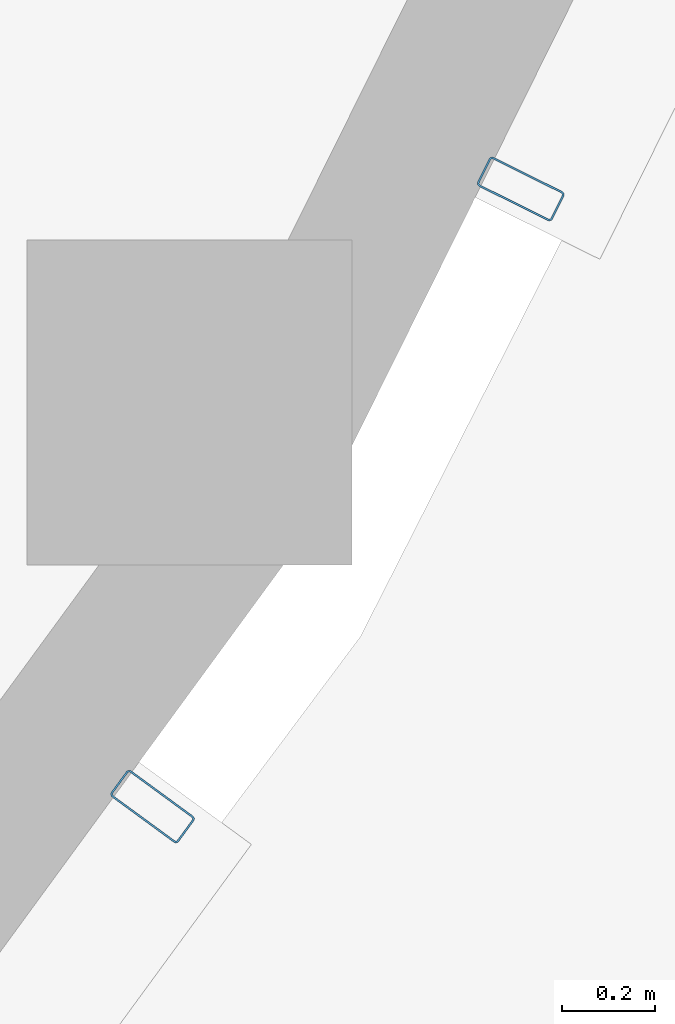
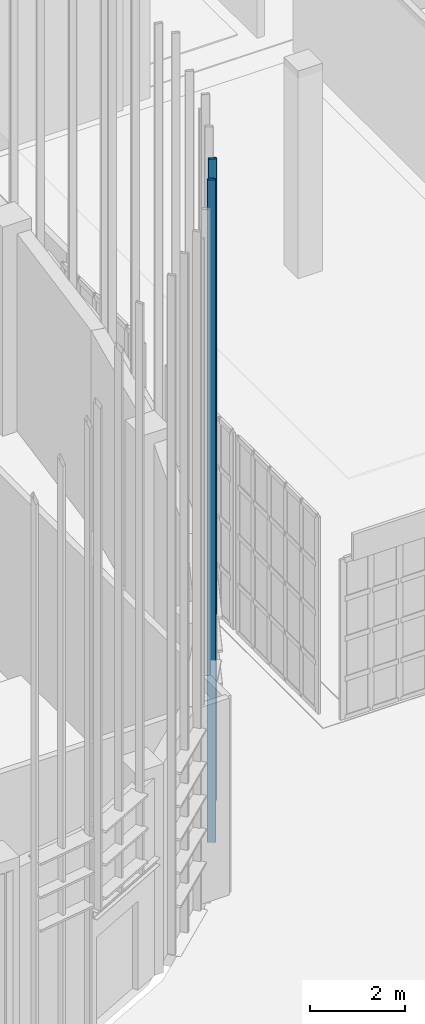
# One storey, part 264 of 372: 2 members.
"""IFC4 building model written with IfcOpenShell, lengths in metres."""

from ifc_helpers import new_model, si_unit, direction, frame, origin, origin_2d, place, context, subcontext, project, spatial, hollow_rectangle, extrude, material, material_profile, profile_set, type_object, element, save


model = new_model("IFC4")

# Units and contexts
model_context = context("Model", 3, precision=1e-05, world=origin(), true_north=direction((0.0, 1.0)))
body_context = subcontext(model_context, "Body", "Model", "MODEL_VIEW")
ifc_project = project(units=[si_unit("LENGTHUNIT", "METRE"), si_unit("AREAUNIT", "SQUARE_METRE"), si_unit("VOLUMEUNIT", "CUBIC_METRE"), si_unit("PLANEANGLEUNIT", "RADIAN"), si_unit("MASSUNIT", "GRAM", prefix="KILO")], contexts=[model_context])

# Site, building, storey
site_placement = place(None, origin())
site = spatial("IfcSite", under=ifc_project, at=site_placement, CompositionType="ELEMENT")
building_placement = place(site_placement, origin())
building = spatial("IfcBuilding", under=site, at=building_placement, Name="Kaelora Sail Theatre", CompositionType="ELEMENT")
storey_placement = place(building_placement, origin())
storey = spatial("IfcBuildingStorey", under=building, at=storey_placement, Name="L00", CompositionType="ELEMENT", Elevation=0.0)

# Members
ifc_material = material(Name="Anodised aluminium 6063-T6", Category="aluminium")
ifc_material_profile = material_profile(ifc_material, hollow_rectangle(XDim=0.070068359375, YDim=0.179931640625, WallThickness=0.00390625, InnerFilletRadius=0.00390625, OuterFilletRadius=0.008056640625, at=origin_2d()), Name="ALU-MULL 70x180x4")
ifc_profile_set = profile_set([ifc_material_profile], Name="Anodised aluminium 6063-T6")
member_type = type_object("IfcMemberType", Name="ARC-MEM-PST-160", PredefinedType="POST", material=ifc_profile_set)
member_1_placement = place(storey_placement, frame((143.946533203125, 30.142822265625, 0.0), z_axis=(0.0, 0.0, 1.0), x_axis=(-0.44447884122, -0.895789350075, 0.0)))
element("IfcMember", 1, at=member_1_placement, inside=storey, type_object=member_type, Name="Black-Box and Experimental Sail Wing solar louvre vertical support post C6-3", PredefinedType="POST", context=body_context, shape_type="SweptSolid", body=[
    extrude(hollow_rectangle(XDim=0.070068359375, YDim=0.179931640625, WallThickness=0.00390625, InnerFilletRadius=0.00390625, OuterFilletRadius=0.008056640625, at=origin_2d()), origin(), (0.0, 0.0, 1.0), 16.572998046875),
])
member_2_placement = place(storey_placement, frame((143.153564453125, 28.81298828125, 0.0), z_axis=(0.0, 0.0, 1.0), x_axis=(-0.590464817481, -0.807063379987, 0.0)))
element("IfcMember", 2, at=member_2_placement, inside=storey, type_object=member_type, Name="Black-Box and Experimental Sail Wing solar louvre vertical support post C7-1", PredefinedType="POST", context=body_context, shape_type="SweptSolid", body=[
    extrude(hollow_rectangle(XDim=0.070068359375, YDim=0.179931640625, WallThickness=0.00390625, InnerFilletRadius=0.00390625, OuterFilletRadius=0.008056640625, at=origin_2d()), origin(), (0.0, 0.0, 1.0), 17.119140625),
])

save(model, "model.ifc")
